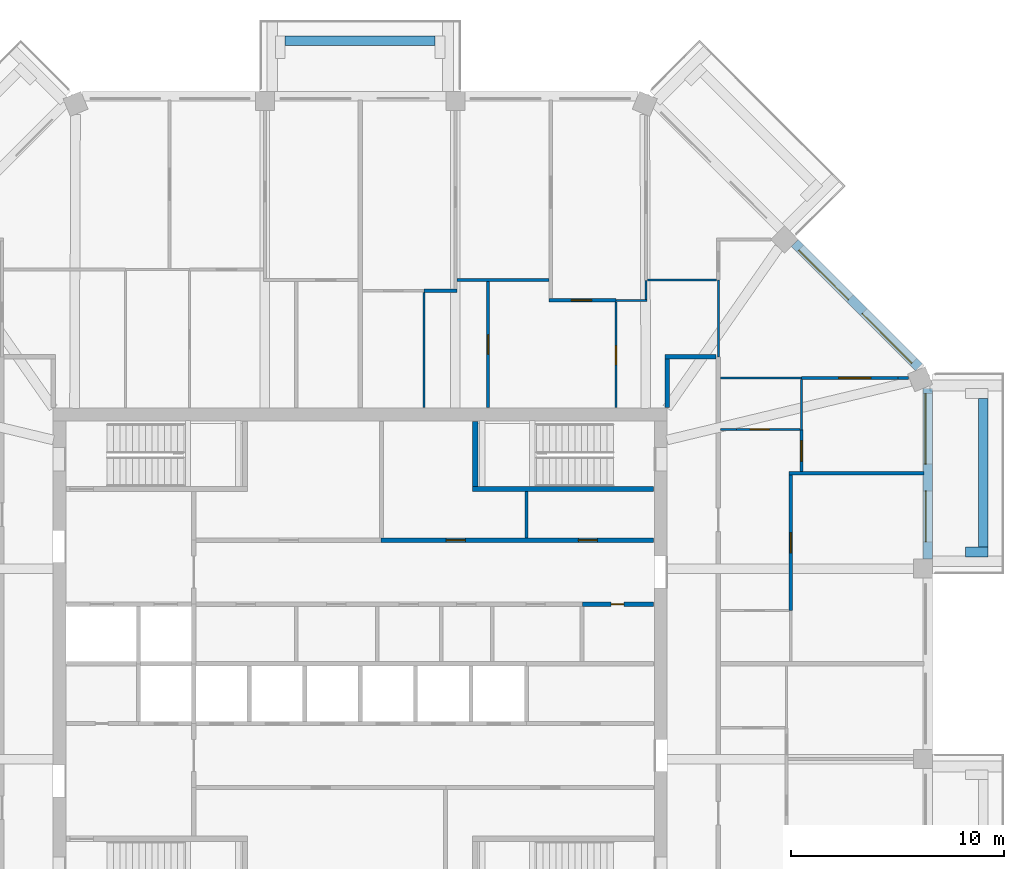
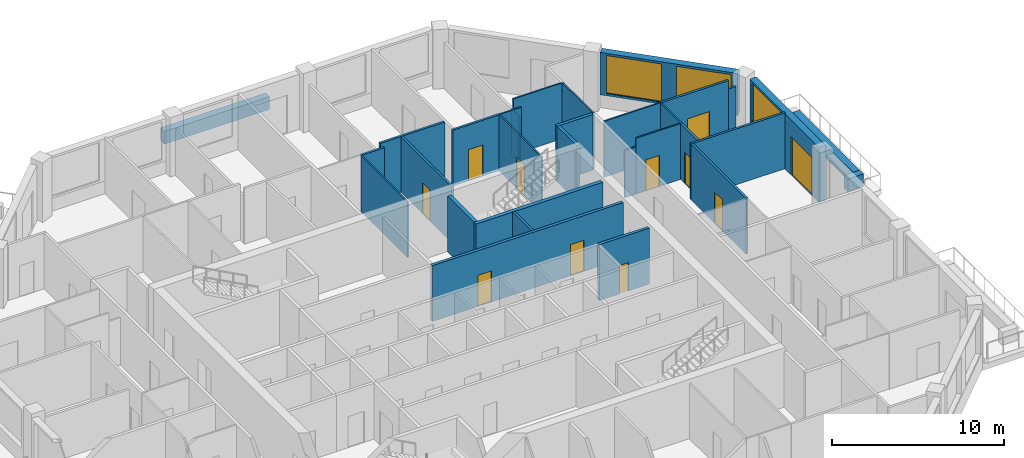
# One storey, part 9 of 12: 31 walls, 11 doors, 3 windows, 14 openings.
"""IFC4 building model written with IfcOpenShell, lengths in metres."""

from ifc_helpers import new_model, si_unit, direction, frame, frame_2d, origin, place, context, subcontext, project, spatial, rectangle, extrude, material, layer, layer_set, type_object, element, fill, save


model = new_model("IFC4")

# Units and contexts
model_context = context("Model", 3, precision=1e-05, world=origin(), true_north=direction((0.0, 1.0)))
body_context = subcontext(model_context, "Body", "Model", "MODEL_VIEW")
ifc_project = project(units=[si_unit("LENGTHUNIT", "METRE"), si_unit("AREAUNIT", "SQUARE_METRE"), si_unit("VOLUMEUNIT", "CUBIC_METRE"), si_unit("PLANEANGLEUNIT", "RADIAN"), si_unit("MASSUNIT", "GRAM", prefix="KILO")], contexts=[model_context])

# Site, building, storey
site_placement = place(None, origin())
site = spatial("IfcSite", under=ifc_project, at=site_placement, CompositionType="ELEMENT")
building_placement = place(site_placement, origin())
building = spatial("IfcBuilding", under=site, at=building_placement, Name="Msitu Wima Residences", CompositionType="ELEMENT")
storey_placement = place(building_placement, frame((0.0, 0.0, 272.699951171875)))
storey = spatial("IfcBuildingStorey", under=building, at=storey_placement, Name="L63", CompositionType="ELEMENT", Elevation=272.699951171875)

# Walls
ifc_material_1 = material(Name="Facing brick")
ifc_layer_1 = layer(ifc_material_1, 0.06494140625, Name="Facing brick")
ifc_material_2 = material(Name="Concrete C40/50", Category="concrete")
ifc_layer_2 = layer(ifc_material_2, 0.156005859375, Name="Concrete C40/50")
ifc_material_3 = material(Name="Waterproofing membrane")
ifc_layer_3 = layer(ifc_material_3, 0.00390625, Name="Waterproofing membrane")
ifc_material_4 = material(Name="Planting soil and planting")
ifc_layer_4 = layer(ifc_material_4, 0.22509765625, Name="Planting soil and planting")
ifc_layer_set_1 = layer_set([ifc_layer_1, ifc_layer_2, ifc_layer_3, ifc_layer_4], Name="Concrete C40/50")
wall_type_1 = type_object("IfcWallType", Name="Balcony planter PLANTER PL450", PredefinedType="USERDEFINED", material=ifc_layer_set_1)
wall_1_placement = place(storey_placement, frame((29.22509765625, 5.468505859375, 0.0), z_axis=(0.0, 0.0, 1.0), x_axis=(0.0, 1.0, 0.0)))
element("IfcWall", 1, at=wall_1_placement, inside=storey, type_object=wall_type_1, Name="Balcony planter E2 L63", ObjectType="PLANTER", PredefinedType="USERDEFINED", context=body_context, shape_type="SweptSolid", body=[
    extrude(rectangle(XDim=6.9873046875, YDim=0.449951171875, at=frame_2d((3.49365234375, 0.0))), origin(), (0.0, 0.0, 1.0), 0.900146484375),
])
wall_2_placement = place(storey_placement, frame((28.39990234375, 5.24365234375, 0.0), z_axis=(0.0, 0.0, 1.0), x_axis=(1.0, 0.0, 0.0)))
element("IfcWall", 2, at=wall_2_placement, inside=storey, type_object=wall_type_1, Name="Balcony planter E2 L63", ObjectType="PLANTER", PredefinedType="USERDEFINED", context=body_context, shape_type="SweptSolid", body=[
    extrude(rectangle(XDim=1.050048828125, YDim=0.449951171875, at=frame_2d((0.52490234375, 0.0))), origin(), (0.0, 0.0, 1.0), 0.900146484375),
])
wall_3_placement = place(storey_placement, frame((3.5185546875, 29.22509765625, 0.0), z_axis=(0.0, 0.0, 1.0), x_axis=(-1.0, 0.0, 0.0)))
element("IfcWall", 3, at=wall_3_placement, inside=storey, type_object=wall_type_1, Name="Balcony planter N1 L63", ObjectType="PLANTER", PredefinedType="USERDEFINED", context=body_context, shape_type="SweptSolid", body=[
    extrude(rectangle(XDim=7.037109375, YDim=0.449951171875, at=frame_2d((3.5185546875, 0.0))), origin(), (0.0, 0.0, 1.0), 0.900146484375),
])

# Wall, openings, door, window
ifc_material_5 = material(Name="Brick (red buff mix)", Category="masonry")
ifc_layer_5 = layer(ifc_material_5, 0.449951171875)
ifc_layer_set_2 = layer_set([ifc_layer_5], Name="Brick (red buff mix)")
wall_type_2 = type_object("IfcWallType", Name="Brick infill wall BW450", PredefinedType="SOLIDWALL", material=ifc_layer_set_2)
wall_4_placement = place(storey_placement, frame((26.625, 4.918701171875, 0.0), z_axis=(0.0, 0.0, 1.0), x_axis=(0.0, 1.0, 0.0)))
wall_4 = element("IfcWall", 4, at=wall_4_placement, inside=storey, type_object=wall_type_2, Name="Brick infill wall L63 E2", PredefinedType="SOLIDWALL", context=body_context, shape_type="SweptSolid", body=[
    extrude(rectangle(XDim=8.0, YDim=0.449951171875, at=frame_2d((4.0, 0.0))), origin(), (0.0, 0.0, 1.0), 3.900146484375),
])
opening_1_placement = place(wall_4_placement, frame((0.800048828125, 0.0, 0.0)))
opening_1 = element("IfcOpeningElement", 5, at=opening_1_placement, cuts=wall_4, Name="Opening D63-64.002", PredefinedType="OPENING", context=body_context, shape_type="SweptSolid", body=[
    extrude(rectangle(XDim=2.39990234375, YDim=2.699951171875, at=frame_2d((1.199951171875, 1.35009765625))), frame((0.0, 0.23486328125, 0.0), z_axis=(0.0, -1.0, 0.0), x_axis=(1.0, 0.0, 0.0)), (0.0, 0.0, 1.0), 0.469970703125),
])
opening_2_placement = place(wall_4_placement, frame((4.4501953125, 0.0, 1.050048828125)))
opening_2 = element("IfcOpeningElement", 6, at=opening_2_placement, cuts=wall_4, Name="Opening W63-64.004", PredefinedType="OPENING", context=body_context, shape_type="SweptSolid", body=[
    extrude(rectangle(XDim=3.300048828125, YDim=2.699951171875, at=frame_2d((1.64990234375, 1.35009765625))), frame((0.0, 0.23486328125, 0.0), z_axis=(0.0, -1.0, 0.0), x_axis=(1.0, 0.0, 0.0)), (0.0, 0.0, 1.0), 0.469970703125),
])
ifc_material_6 = material(Name="Anodised aluminium, bronze finish, clear low-emissivity double glazing", Category="aluminium")
door_type_1 = type_object("IfcDoorType", Name="Balcony door D2400x2700", OperationType="SLIDING_TO_LEFT", PredefinedType="DOOR", material=ifc_material_6)
door_1_placement = place(opening_1_placement, origin())
door_1 = element("IfcDoor", 7, at=door_1_placement, inside=storey, type_object=door_type_1, Name="Balcony door L63 E2", OperationType="SINGLE_SWING_LEFT", OverallHeight=2.699951171875, OverallWidth=2.39990234375, PredefinedType="DOOR", context=body_context, shape_type="SweptSolid", body=[
    extrude(rectangle(XDim=2.39990234375, YDim=2.699951171875, at=frame_2d((1.199951171875, 1.35009765625))), frame((0.0, 0.1298828125, 0.0), z_axis=(0.0, -1.0, 0.0), x_axis=(1.0, 0.0, 0.0)), (0.0, 0.0, 1.0), 0.050048828125),
])
fill(opening_1, door_1)
window_type = type_object("IfcWindowType", Name="Window W3300x2700", PartitioningType="DOUBLE_PANEL_VERTICAL", PredefinedType="WINDOW", material=ifc_material_6)
window_1_placement = place(opening_2_placement, origin())
window_1 = element("IfcWindow", 8, at=window_1_placement, inside=storey, type_object=window_type, Name="Window L63 E2.2", OverallHeight=2.699951171875, OverallWidth=3.300048828125, PartitioningType="SINGLE_PANEL", PredefinedType="WINDOW", context=body_context, shape_type="SweptSolid", body=[
    extrude(rectangle(XDim=3.300048828125, YDim=2.699951171875, at=frame_2d((1.64990234375, 1.35009765625))), frame((0.0, 0.135009765625, 0.0), z_axis=(0.0, -1.0, 0.0), x_axis=(1.0, 0.0, 0.0)), (0.0, 0.0, 1.0), 0.06005859375),
])
fill(opening_2, window_1)

# Wall, openings, windows
wall_5_placement = place(storey_placement, frame((26.214599609375, 13.909423828125, 0.900146484375), z_axis=(0.0, 0.0, 1.0), x_axis=(-0.707106781187, 0.707106781187, 0.0)))
wall_5 = element("IfcWall", 9, at=wall_5_placement, inside=storey, type_object=wall_type_2, Name="Brick infill wall L63 NE0", PredefinedType="SOLIDWALL", context=body_context, shape_type="SweptSolid", body=[
    extrude(rectangle(XDim=8.251220703125, YDim=0.449951171875, at=frame_2d((4.12548828125, 0.0))), origin(), (0.0, 0.0, 1.0), 3.0),
])
opening_3_placement = place(wall_5_placement, frame((0.37548828125, 0.0, 0.14990234375)))
opening_3 = element("IfcOpeningElement", 10, at=opening_3_placement, cuts=wall_5, Name="Opening W63-64.010", PredefinedType="OPENING", context=body_context, shape_type="SweptSolid", body=[
    extrude(rectangle(XDim=3.300048828125, YDim=2.699951171875, at=frame_2d((1.64990234375, 1.35009765625))), frame((0.0, 0.23486328125, 0.0), z_axis=(0.0, -1.0, 0.0), x_axis=(1.0, 0.0, 0.0)), (0.0, 0.0, 1.0), 0.469970703125),
])
opening_4_placement = place(wall_5_placement, frame((4.57568359375, 0.0, 0.14990234375)))
opening_4 = element("IfcOpeningElement", 11, at=opening_4_placement, cuts=wall_5, Name="Opening W63-64.011", PredefinedType="OPENING", context=body_context, shape_type="SweptSolid", body=[
    extrude(rectangle(XDim=3.300048828125, YDim=2.699951171875, at=frame_2d((1.64990234375, 1.35009765625))), frame((0.0, 0.23486328125, 0.0), z_axis=(0.0, -1.0, 0.0), x_axis=(1.0, 0.0, 0.0)), (0.0, 0.0, 1.0), 0.469970703125),
])
window_2_placement = place(opening_3_placement, origin())
window_2 = element("IfcWindow", 12, at=window_2_placement, inside=storey, type_object=window_type, Name="Window L63 NE0.1", OverallHeight=2.699951171875, OverallWidth=3.300048828125, PartitioningType="SINGLE_PANEL", PredefinedType="WINDOW", context=body_context, shape_type="SweptSolid", body=[
    extrude(rectangle(XDim=3.300048828125, YDim=2.699951171875, at=frame_2d((1.64990234375, 1.35009765625))), frame((0.0, 0.135009765625, 0.0), z_axis=(0.0, -1.0, 0.0), x_axis=(1.0, 0.0, 0.0)), (0.0, 0.0, 1.0), 0.06005859375),
])
fill(opening_3, window_2)
window_3_placement = place(opening_4_placement, origin())
window_3 = element("IfcWindow", 13, at=window_3_placement, inside=storey, type_object=window_type, Name="Window L63 NE0.2", OverallHeight=2.699951171875, OverallWidth=3.300048828125, PartitioningType="SINGLE_PANEL", PredefinedType="WINDOW", context=body_context, shape_type="SweptSolid", body=[
    extrude(rectangle(XDim=3.300048828125, YDim=2.699951171875, at=frame_2d((1.64990234375, 1.35009765625))), frame((0.0, 0.135009765625, 0.0), z_axis=(0.0, -1.0, 0.0), x_axis=(1.0, 0.0, 0.0)), (0.0, 0.0, 1.0), 0.06005859375),
])
fill(opening_4, window_3)

# Wall, openings, doors
ifc_material_7 = material(Name="Plaster")
ifc_layer_6 = layer(ifc_material_7, 0.011962890625, Name="Plaster")
ifc_material_8 = material(Name="Concrete blockwork", Category="masonry")
ifc_layer_7 = layer(ifc_material_8, 0.176025390625, Name="Concrete blockwork")
ifc_layer_8 = layer(ifc_material_7, 0.011962890625, Name="Plaster")
ifc_layer_set_3 = layer_set([ifc_layer_6, ifc_layer_7, ifc_layer_8], Name="Concrete blockwork")
wall_type_3 = type_object("IfcWallType", Name="Corridor wall FW200", PredefinedType="PARTITIONING", material=ifc_layer_set_3)
wall_6_placement = place(storey_placement, frame((0.97998046875, 5.800048828125, 0.0), z_axis=(0.0, 0.0, 1.0), x_axis=(1.0, 0.0, 0.0)))
wall_6 = element("IfcWall", 14, at=wall_6_placement, inside=storey, type_object=wall_type_3, Name="Corridor wall", PredefinedType="PARTITIONING", context=body_context, shape_type="SweptSolid", body=[
    extrude(rectangle(XDim=12.7900390625, YDim=0.199951171875, at=frame_2d((6.39501953125, 0.0))), origin(), (0.0, 0.0, 1.0), 3.949951171875),
])
opening_5_placement = place(wall_6_placement, frame((3.050048828125, 0.0, 0.0)))
opening_5 = element("IfcOpeningElement", 15, at=opening_5_placement, cuts=wall_6, Name="Opening D63-64.073", PredefinedType="OPENING", context=body_context, shape_type="SweptSolid", body=[
    extrude(rectangle(XDim=0.89990234375, YDim=2.199951171875, at=frame_2d((0.449951171875, 1.10009765625))), frame((0.0, 0.10986328125, 0.0), z_axis=(0.0, -1.0, 0.0), x_axis=(1.0, 0.0, 0.0)), (0.0, 0.0, 1.0), 0.219970703125),
])
opening_6_placement = place(wall_6_placement, frame((9.25, 0.0, 0.0)))
opening_6 = element("IfcOpeningElement", 16, at=opening_6_placement, cuts=wall_6, Name="Opening D63-64.074", PredefinedType="OPENING", context=body_context, shape_type="SweptSolid", body=[
    extrude(rectangle(XDim=0.89990234375, YDim=2.199951171875, at=frame_2d((0.449951171875, 1.10009765625))), frame((0.0, 0.10986328125, 0.0), z_axis=(0.0, -1.0, 0.0), x_axis=(1.0, 0.0, 0.0)), (0.0, 0.0, 1.0), 0.219970703125),
])
ifc_material_9 = material(Name="Timber flush door", Category="wood")
door_type_2 = type_object("IfcDoorType", Name="Service door D05 900x2200", OperationType="SINGLE_SWING_LEFT", PredefinedType="DOOR", material=ifc_material_9)
door_2_placement = place(opening_5_placement, origin())
door_2 = element("IfcDoor", 17, at=door_2_placement, inside=storey, type_object=door_type_2, Name="Service door", OperationType="SINGLE_SWING_RIGHT", OverallHeight=2.199951171875, OverallWidth=0.89990234375, PredefinedType="DOOR", context=body_context, shape_type="SweptSolid", body=[
    extrude(rectangle(XDim=0.89990234375, YDim=2.199951171875, at=frame_2d((0.449951171875, 1.10009765625))), frame((0.0, 0.02490234375, 0.0), z_axis=(0.0, -1.0, 0.0), x_axis=(1.0, 0.0, 0.0)), (0.0, 0.0, 1.0), 0.050048828125),
])
fill(opening_5, door_2)
door_3_placement = place(opening_6_placement, origin())
door_3 = element("IfcDoor", 18, at=door_3_placement, inside=storey, type_object=door_type_2, Name="Service door", OperationType="SINGLE_SWING_LEFT", OverallHeight=2.199951171875, OverallWidth=0.89990234375, PredefinedType="DOOR", context=body_context, shape_type="SweptSolid", body=[
    extrude(rectangle(XDim=0.89990234375, YDim=2.199951171875, at=frame_2d((0.449951171875, 1.10009765625))), frame((0.0, 0.02490234375, 0.0), z_axis=(0.0, -1.0, 0.0), x_axis=(1.0, 0.0, 0.0)), (0.0, 0.0, 1.0), 0.050048828125),
])
fill(opening_6, door_3)

# Walls
wall_7_placement = place(storey_placement, frame((14.39990234375, 12.030029296875, 0.0), z_axis=(0.0, 0.0, 1.0), x_axis=(0.0, 1.0, 0.0)))
element("IfcWall", 19, at=wall_7_placement, inside=storey, type_object=wall_type_3, Name="Corridor wall", PredefinedType="PARTITIONING", context=body_context, shape_type="SweptSolid", body=[
    extrude(rectangle(XDim=2.27001953125, YDim=0.199951171875, at=frame_2d((1.135009765625, 0.0))), origin(), (0.0, 0.0, 1.0), 3.949951171875),
])
wall_8_placement = place(storey_placement, frame((14.300048828125, 14.39990234375, 0.0), z_axis=(0.0, 0.0, 1.0), x_axis=(1.0, 0.0, 0.0)))
element("IfcWall", 20, at=wall_8_placement, inside=storey, type_object=wall_type_3, Name="Corridor wall", PredefinedType="PARTITIONING", context=body_context, shape_type="SweptSolid", body=[
    extrude(rectangle(XDim=2.39990234375, YDim=0.199951171875, at=frame_2d((1.199951171875, 0.0))), origin(), (0.0, 0.0, 1.0), 3.949951171875),
])
ifc_layer_9 = layer(ifc_material_7, 0.011962890625, Name="Plaster")
ifc_layer_10 = layer(ifc_material_8, 0.1259765625, Name="Concrete blockwork")
ifc_layer_11 = layer(ifc_material_7, 0.011962890625, Name="Plaster")
ifc_layer_set_4 = layer_set([ifc_layer_9, ifc_layer_10, ifc_layer_11], Name="Concrete blockwork")
wall_type_4 = type_object("IfcWallType", Name="Partition PW150", PredefinedType="PARTITIONING", material=ifc_layer_set_4)
wall_9_placement = place(storey_placement, frame((3.0, 17.5, 0.0), z_axis=(0.0, 0.0, 1.0), x_axis=(1.0, 0.0, 0.0)))
element("IfcWall", 21, at=wall_9_placement, inside=storey, type_object=wall_type_4, Name="Partition", PredefinedType="PARTITIONING", context=body_context, shape_type="SweptSolid", body=[
    extrude(rectangle(XDim=1.543701171875, YDim=0.14990234375, at=frame_2d((0.77197265625, 0.0))), origin(), (0.0, 0.0, 1.0), 3.949951171875),
])
wall_10_placement = place(storey_placement, frame((4.543701171875, 18.0, 0.0), z_axis=(0.0, 0.0, 1.0), x_axis=(1.0, 0.0, 0.0)))
element("IfcWall", 22, at=wall_10_placement, inside=storey, type_object=wall_type_4, Name="Partition", PredefinedType="PARTITIONING", context=body_context, shape_type="SweptSolid", body=[
    extrude(rectangle(XDim=4.318603515625, YDim=0.14990234375, at=frame_2d((2.1591796875, 0.0))), origin(), (0.0, 0.0, 1.0), 3.949951171875),
])

# Wall, opening, door
wall_11_placement = place(storey_placement, frame((6.0, 12.030029296875, 0.0), z_axis=(0.0, 0.0, 1.0), x_axis=(0.0, 1.0, 0.0)))
wall_11 = element("IfcWall", 23, at=wall_11_placement, inside=storey, type_object=wall_type_4, Name="Partition", PredefinedType="PARTITIONING", context=body_context, shape_type="SweptSolid", body=[
    extrude(rectangle(XDim=5.89501953125, YDim=0.14990234375, at=frame_2d((2.947509765625, 0.0))), origin(), (0.0, 0.0, 1.0), 3.949951171875),
])
opening_7_placement = place(wall_11_placement, frame((2.5, 0.0, 0.0)))
opening_7 = element("IfcOpeningElement", 24, at=opening_7_placement, cuts=wall_11, Name="Opening D63-64.014", PredefinedType="OPENING", context=body_context, shape_type="SweptSolid", body=[
    extrude(rectangle(XDim=0.89990234375, YDim=2.199951171875, at=frame_2d((0.449951171875, 1.10009765625))), frame((0.0, 0.0849609375, 0.0), z_axis=(0.0, -1.0, 0.0), x_axis=(1.0, 0.0, 0.0)), (0.0, 0.0, 1.0), 0.169921875),
])
door_4_placement = place(opening_7_placement, origin())
door_4 = element("IfcDoor", 25, at=door_4_placement, inside=storey, type_object=door_type_2, Name="Service door", OperationType="SINGLE_SWING_RIGHT", OverallHeight=2.199951171875, OverallWidth=0.89990234375, PredefinedType="DOOR", context=body_context, shape_type="SweptSolid", body=[
    extrude(rectangle(XDim=0.89990234375, YDim=2.199951171875, at=frame_2d((0.449951171875, 1.10009765625))), frame((0.0, 0.02490234375, 0.0), z_axis=(0.0, -1.0, 0.0), x_axis=(1.0, 0.0, 0.0)), (0.0, 0.0, 1.0), 0.050048828125),
])
fill(opening_7, door_4)

# Wall
wall_12_placement = place(storey_placement, frame((7.800048828125, 5.89990234375, 0.0), z_axis=(0.0, 0.0, 1.0), x_axis=(0.0, 1.0, 0.0)))
element("IfcWall", 26, at=wall_12_placement, inside=storey, type_object=wall_type_4, Name="Partition", PredefinedType="PARTITIONING", context=body_context, shape_type="SweptSolid", body=[
    extrude(rectangle(XDim=2.175048828125, YDim=0.14990234375, at=frame_2d((1.08740234375, 0.0))), origin(), (0.0, 0.0, 1.0), 3.949951171875),
])

# Wall, opening, door
wall_13_placement = place(storey_placement, frame((8.8623046875, 17.050048828125, 0.0), z_axis=(0.0, 0.0, 1.0), x_axis=(1.0, 0.0, 0.0)))
wall_13 = element("IfcWall", 27, at=wall_13_placement, inside=storey, type_object=wall_type_4, Name="Partition", PredefinedType="PARTITIONING", context=body_context, shape_type="SweptSolid", body=[
    extrude(rectangle(XDim=3.1376953125, YDim=0.14990234375, at=frame_2d((1.56884765625, 0.0))), origin(), (0.0, 0.0, 1.0), 3.949951171875),
])
opening_8_placement = place(wall_13_placement, frame((1.050048828125, 0.0, 0.0)))
opening_8 = element("IfcOpeningElement", 28, at=opening_8_placement, cuts=wall_13, Name="Opening D63-64.023", PredefinedType="OPENING", context=body_context, shape_type="SweptSolid", body=[
    extrude(rectangle(XDim=0.949951171875, YDim=2.199951171875, at=frame_2d((0.47509765625, 1.10009765625))), frame((0.0, 0.0849609375, 0.0), z_axis=(0.0, -1.0, 0.0), x_axis=(1.0, 0.0, 0.0)), (0.0, 0.0, 1.0), 0.169921875),
])
door_type_3 = type_object("IfcDoorType", Name="Room door D12 950x2200", OperationType="SINGLE_SWING_LEFT", PredefinedType="DOOR", material=ifc_material_9)
door_5_placement = place(opening_8_placement, origin())
door_5 = element("IfcDoor", 29, at=door_5_placement, inside=storey, type_object=door_type_3, Name="Room door", OperationType="SINGLE_SWING_LEFT", OverallHeight=2.199951171875, OverallWidth=0.949951171875, PredefinedType="DOOR", context=body_context, shape_type="SweptSolid", body=[
    extrude(rectangle(XDim=0.949951171875, YDim=2.199951171875, at=frame_2d((0.47509765625, 1.10009765625))), frame((0.0, 0.02490234375, 0.0), z_axis=(0.0, -1.0, 0.0), x_axis=(1.0, 0.0, 0.0)), (0.0, 0.0, 1.0), 0.050048828125),
])
fill(opening_8, door_5)

wall_14_placement = place(storey_placement, frame((20.199951171875, 2.5, 0.0), z_axis=(0.0, 0.0, 1.0), x_axis=(0.0, 1.0, 0.0)))
wall_14 = element("IfcWall", 30, at=wall_14_placement, inside=storey, type_object=wall_type_4, Name="Partition", PredefinedType="PARTITIONING", context=body_context, shape_type="SweptSolid", body=[
    extrude(rectangle(XDim=6.3623046875, YDim=0.14990234375, at=frame_2d((3.18115234375, 0.0))), origin(), (0.0, 0.0, 1.0), 3.949951171875),
])
opening_9_placement = place(wall_14_placement, frame((2.699951171875, 0.0, 0.0)))
opening_9 = element("IfcOpeningElement", 31, at=opening_9_placement, cuts=wall_14, Name="Opening D63-64.018", PredefinedType="OPENING", context=body_context, shape_type="SweptSolid", body=[
    extrude(rectangle(XDim=0.949951171875, YDim=2.199951171875, at=frame_2d((0.47509765625, 1.10009765625))), frame((0.0, 0.0849609375, 0.0), z_axis=(0.0, -1.0, 0.0), x_axis=(1.0, 0.0, 0.0)), (0.0, 0.0, 1.0), 0.169921875),
])
door_6_placement = place(opening_9_placement, origin())
door_6 = element("IfcDoor", 32, at=door_6_placement, inside=storey, type_object=door_type_3, Name="Room door", OperationType="SINGLE_SWING_LEFT", OverallHeight=2.199951171875, OverallWidth=0.949951171875, PredefinedType="DOOR", context=body_context, shape_type="SweptSolid", body=[
    extrude(rectangle(XDim=0.949951171875, YDim=2.199951171875, at=frame_2d((0.47509765625, 1.10009765625))), frame((0.0, 0.02490234375, 0.0), z_axis=(0.0, -1.0, 0.0), x_axis=(1.0, 0.0, 0.0)), (0.0, 0.0, 1.0), 0.050048828125),
])
fill(opening_9, door_6)

# Wall
wall_15_placement = place(storey_placement, frame((20.125, 8.937255859375, 0.0), z_axis=(0.0, 0.0, 1.0), x_axis=(1.0, 0.0, 0.0)))
element("IfcWall", 33, at=wall_15_placement, inside=storey, type_object=wall_type_4, Name="Partition", PredefinedType="PARTITIONING", context=body_context, shape_type="SweptSolid", body=[
    extrude(rectangle(XDim=6.330078125, YDim=0.14990234375, at=frame_2d((3.1650390625, 0.0))), origin(), (0.0, 0.0, 1.0), 3.949951171875),
])

# Wall, opening, door
wall_16_placement = place(storey_placement, frame((20.699951171875, 9.01220703125, 0.0), z_axis=(0.0, 0.0, 1.0), x_axis=(0.0, 1.0, 0.0)))
wall_16 = element("IfcWall", 34, at=wall_16_placement, inside=storey, type_object=wall_type_4, Name="Partition", PredefinedType="PARTITIONING", context=body_context, shape_type="SweptSolid", body=[
    extrude(rectangle(XDim=1.9677734375, YDim=0.14990234375, at=frame_2d((0.98388671875, 0.0))), origin(), (0.0, 0.0, 1.0), 3.949951171875),
])
opening_10_placement = place(wall_16_placement, frame((0.5, 0.0, 0.0)))
opening_10 = element("IfcOpeningElement", 35, at=opening_10_placement, cuts=wall_16, Name="Opening D63-64.019", PredefinedType="OPENING", context=body_context, shape_type="SweptSolid", body=[
    extrude(rectangle(XDim=0.949951171875, YDim=2.199951171875, at=frame_2d((0.47509765625, 1.10009765625))), frame((0.0, 0.0849609375, 0.0), z_axis=(0.0, -1.0, 0.0), x_axis=(1.0, 0.0, 0.0)), (0.0, 0.0, 1.0), 0.169921875),
])
door_7_placement = place(opening_10_placement, origin())
door_7 = element("IfcDoor", 36, at=door_7_placement, inside=storey, type_object=door_type_3, Name="Room door", OperationType="SINGLE_SWING_RIGHT", OverallHeight=2.199951171875, OverallWidth=0.949951171875, PredefinedType="DOOR", context=body_context, shape_type="SweptSolid", body=[
    extrude(rectangle(XDim=0.949951171875, YDim=2.199951171875, at=frame_2d((0.47509765625, 1.10009765625))), frame((0.0, 0.02490234375, 0.0), z_axis=(0.0, -1.0, 0.0), x_axis=(1.0, 0.0, 0.0)), (0.0, 0.0, 1.0), 0.050048828125),
])
fill(opening_10, door_7)

wall_17_placement = place(storey_placement, frame((20.699951171875, 13.406005859375, 0.0), z_axis=(0.0, 0.0, 1.0), x_axis=(1.0, 0.0, 0.0)))
wall_17 = element("IfcWall", 37, at=wall_17_placement, inside=storey, type_object=wall_type_4, Name="Partition", PredefinedType="PARTITIONING", context=body_context, shape_type="SweptSolid", body=[
    extrude(rectangle(XDim=4.524169921875, YDim=0.14990234375, at=frame_2d((2.26220703125, 0.0))), origin(), (0.0, 0.0, 1.0), 3.949951171875),
])
opening_11_placement = place(wall_17_placement, frame((1.75, 0.0, 0.0)))
opening_11 = element("IfcOpeningElement", 38, at=opening_11_placement, cuts=wall_17, Name="Opening D63-64.020", PredefinedType="OPENING", context=body_context, shape_type="SweptSolid", body=[
    extrude(rectangle(XDim=1.5, YDim=2.199951171875, at=frame_2d((0.75, 1.10009765625))), frame((0.0, 0.0849609375, 0.0), z_axis=(0.0, -1.0, 0.0), x_axis=(1.0, 0.0, 0.0)), (0.0, 0.0, 1.0), 0.169921875),
])
ifc_material_10 = material(Name="Timber double door", Category="wood")
door_type_4 = type_object("IfcDoorType", Name="Double door D04 1500x2200", OperationType="DOUBLE_DOOR_SINGLE_SWING", PredefinedType="DOOR", material=ifc_material_10)
door_8_placement = place(opening_11_placement, origin())
door_8 = element("IfcDoor", 39, at=door_8_placement, inside=storey, type_object=door_type_4, Name="Double door", OperationType="DOUBLE_DOOR_SINGLE_SWING", OverallHeight=2.199951171875, OverallWidth=1.5, PredefinedType="DOOR", context=body_context, shape_type="SweptSolid", body=[
    extrude(rectangle(XDim=1.5, YDim=2.199951171875, at=frame_2d((0.75, 1.10009765625))), frame((0.0, 0.02490234375, 0.0), z_axis=(0.0, -1.0, 0.0), x_axis=(1.0, 0.0, 0.0)), (0.0, 0.0, 1.0), 0.050048828125),
])
fill(opening_11, door_8)

# Wall
wall_18_placement = place(storey_placement, frame((25.22412109375, 13.406005859375, 0.0), z_axis=(0.0, 0.0, 1.0), x_axis=(1.0, 0.0, 0.0)))
element("IfcWall", 40, at=wall_18_placement, inside=storey, type_object=wall_type_4, Name="Partition", PredefinedType="PARTITIONING", context=body_context, shape_type="SweptSolid", body=[
    extrude(rectangle(XDim=0.507080078125, YDim=0.14990234375, at=frame_2d((0.25341796875, 0.0))), origin(), (0.0, 0.0, 1.0), 3.35009765625),
])

# Wall, opening, door
ifc_layer_12 = layer(ifc_material_7, 0.011962890625, Name="Plaster")
ifc_material_11 = material(Name="Reinforced concrete blockwork", Category="masonry")
ifc_layer_13 = layer(ifc_material_11, 0.176025390625, Name="Reinforced concrete blockwork")
ifc_layer_14 = layer(ifc_material_7, 0.011962890625, Name="Plaster")
ifc_layer_set_5 = layer_set([ifc_layer_12, ifc_layer_13, ifc_layer_14], Name="Reinforced concrete blockwork")
wall_type_5 = type_object("IfcWallType", Name="Plant and riser wall PL200", PredefinedType="PARTITIONING", material=ifc_layer_set_5)
wall_19_placement = place(storey_placement, frame((10.419921875, 2.800048828125, 0.0), z_axis=(0.0, 0.0, 1.0), x_axis=(1.0, 0.0, 0.0)))
wall_19 = element("IfcWall", 41, at=wall_19_placement, inside=storey, type_object=wall_type_5, Name="Plant and riser wall", PredefinedType="PARTITIONING", context=body_context, shape_type="SweptSolid", body=[
    extrude(rectangle(XDim=3.35009765625, YDim=0.199951171875, at=frame_2d((1.675048828125, 0.0))), origin(), (0.0, 0.0, 1.0), 3.949951171875),
])
opening_12_placement = place(wall_19_placement, frame((1.35009765625, 0.0, 0.0)))
opening_12 = element("IfcOpeningElement", 42, at=opening_12_placement, cuts=wall_19, Name="Opening D63-64.084", PredefinedType="OPENING", context=body_context, shape_type="SweptSolid", body=[
    extrude(rectangle(XDim=0.60009765625, YDim=2.0, at=frame_2d((0.300048828125, 1.0))), frame((0.0, 0.10986328125, 0.0), z_axis=(0.0, -1.0, 0.0), x_axis=(1.0, 0.0, 0.0)), (0.0, 0.0, 1.0), 0.219970703125),
])
ifc_material_12 = material(Name="Steel access door, fire resisting", Category="steel")
door_type_5 = type_object("IfcDoorType", Name="Riser access door D08 600x2000", OperationType="SINGLE_SWING_LEFT", PredefinedType="DOOR", material=ifc_material_12)
door_9_placement = place(opening_12_placement, origin())
door_9 = element("IfcDoor", 43, at=door_9_placement, inside=storey, type_object=door_type_5, Name="Riser access door", OperationType="SINGLE_SWING_RIGHT", OverallHeight=2.0, OverallWidth=0.60009765625, PredefinedType="DOOR", context=body_context, shape_type="SweptSolid", body=[
    extrude(rectangle(XDim=0.60009765625, YDim=2.0, at=frame_2d((0.300048828125, 1.0))), frame((0.0, 0.02490234375, 0.0), z_axis=(0.0, -1.0, 0.0), x_axis=(1.0, 0.0, 0.0)), (0.0, 0.0, 1.0), 0.050048828125),
])
fill(opening_12, door_9)

# Walls
ifc_material_13 = material(Name="Concrete C50/60", Category="concrete")
ifc_layer_15 = layer(ifc_material_13, 0.25)
ifc_layer_set_6 = layer_set([ifc_layer_15], Name="Concrete C50/60")
wall_type_6 = type_object("IfcWallType", Name="Stair enclosure wall SW250", PredefinedType="SHEAR", material=ifc_layer_set_6)
wall_20_placement = place(storey_placement, frame((5.39990234375, 8.324951171875, 0.0), z_axis=(0.0, 0.0, 1.0), x_axis=(0.0, 1.0, 0.0)))
element("IfcWall", 44, at=wall_20_placement, inside=storey, type_object=wall_type_6, Name="Stair enclosure wall", PredefinedType="SHEAR", context=body_context, shape_type="SweptSolid", body=[
    extrude(rectangle(XDim=3.045166015625, YDim=0.25, at=frame_2d((1.5224609375, 0.0))), origin(), (0.0, 0.0, 1.0), 3.949951171875),
])
wall_21_placement = place(storey_placement, frame((5.27490234375, 8.199951171875, 0.0), z_axis=(0.0, 0.0, 1.0), x_axis=(1.0, 0.0, 0.0)))
element("IfcWall", 45, at=wall_21_placement, inside=storey, type_object=wall_type_6, Name="Stair enclosure wall", PredefinedType="SHEAR", context=body_context, shape_type="SweptSolid", body=[
    extrude(rectangle(XDim=8.4951171875, YDim=0.25, at=frame_2d((4.24755859375, 0.0))), origin(), (0.0, 0.0, 1.0), 3.949951171875),
])
ifc_material_14 = material(Name="Ceramic tiles")
ifc_layer_16 = layer(ifc_material_14, 0.008056640625, Name="Ceramic tiles")
ifc_material_15 = material(Name="Moisture-resistant board")
ifc_layer_17 = layer(ifc_material_15, 0.012451171875, Name="Moisture-resistant board")
ifc_material_16 = material(Name="Light-gauge stud framing with mineral wool")
ifc_layer_18 = layer(ifc_material_16, 0.06689453125, Name="Light-gauge stud framing with mineral wool")
ifc_layer_19 = layer(ifc_material_15, 0.012451171875, Name="Moisture-resistant board")
ifc_layer_set_7 = layer_set([ifc_layer_16, ifc_layer_17, ifc_layer_18, ifc_layer_19], Name="Light-gauge stud framing with mineral wool")
wall_type_7 = type_object("IfcWallType", Name="Wet wall PW100", PredefinedType="PARTITIONING", material=ifc_layer_set_7)
wall_22_placement = place(storey_placement, frame((3.0, 12.030029296875, 0.0), z_axis=(0.0, 0.0, 1.0), x_axis=(0.0, 1.0, 0.0)))
element("IfcWall", 46, at=wall_22_placement, inside=storey, type_object=wall_type_7, Name="Wet wall", PredefinedType="PARTITIONING", context=body_context, shape_type="SweptSolid", body=[
    extrude(rectangle(XDim=5.39501953125, YDim=0.10009765625, at=frame_2d((2.697509765625, 0.0))), origin(), (0.0, 0.0, 1.0), 3.949951171875),
])
wall_23_placement = place(storey_placement, frame((12.0, 17.050048828125, 0.0), z_axis=(0.0, 0.0, 1.0), x_axis=(1.0, 0.0, 0.0)))
element("IfcWall", 47, at=wall_23_placement, inside=storey, type_object=wall_type_7, Name="Wet wall", PredefinedType="PARTITIONING", context=body_context, shape_type="SweptSolid", body=[
    extrude(rectangle(XDim=1.455810546875, YDim=0.10009765625, at=frame_2d((0.72802734375, 0.0))), origin(), (0.0, 0.0, 1.0), 3.949951171875),
])

# Wall, opening, door
wall_24_placement = place(storey_placement, frame((12.0, 12.030029296875, 0.0), z_axis=(0.0, 0.0, 1.0), x_axis=(0.0, 1.0, 0.0)))
wall_24 = element("IfcWall", 48, at=wall_24_placement, inside=storey, type_object=wall_type_7, Name="Wet wall", PredefinedType="PARTITIONING", context=body_context, shape_type="SweptSolid", body=[
    extrude(rectangle(XDim=4.945068359375, YDim=0.10009765625, at=frame_2d((2.47265625, 0.0))), origin(), (0.0, 0.0, 1.0), 3.949951171875),
])
opening_13_placement = place(wall_24_placement, frame((2.0, 0.0, 0.0)))
opening_13 = element("IfcOpeningElement", 49, at=opening_13_placement, cuts=wall_24, Name="Opening D63-64.024", PredefinedType="OPENING", context=body_context, shape_type="SweptSolid", body=[
    extrude(rectangle(XDim=0.89990234375, YDim=2.199951171875, at=frame_2d((0.449951171875, 1.10009765625))), frame((0.0, 0.06005859375, 0.0), z_axis=(0.0, -1.0, 0.0), x_axis=(1.0, 0.0, 0.0)), (0.0, 0.0, 1.0), 0.1201171875),
])
door_10_placement = place(opening_13_placement, origin())
door_10 = element("IfcDoor", 50, at=door_10_placement, inside=storey, type_object=door_type_2, Name="Service door", OperationType="SINGLE_SWING_LEFT", OverallHeight=2.199951171875, OverallWidth=0.89990234375, PredefinedType="DOOR", context=body_context, shape_type="SweptSolid", body=[
    extrude(rectangle(XDim=0.89990234375, YDim=2.199951171875, at=frame_2d((0.449951171875, 1.10009765625))), frame((0.0, 0.02490234375, 0.0), z_axis=(0.0, -1.0, 0.0), x_axis=(1.0, 0.0, 0.0)), (0.0, 0.0, 1.0), 0.050048828125),
])
fill(opening_13, door_10)

# Walls
wall_25_placement = place(storey_placement, frame((13.406005859375, 17.10009765625, 0.0), z_axis=(0.0, 0.0, 1.0), x_axis=(0.0, 1.0, 0.0)))
element("IfcWall", 51, at=wall_25_placement, inside=storey, type_object=wall_type_7, Name="Wet wall", PredefinedType="PARTITIONING", context=body_context, shape_type="SweptSolid", body=[
    extrude(rectangle(XDim=0.8798828125, YDim=0.10009765625, at=frame_2d((0.43994140625, 0.0))), origin(), (0.0, 0.0, 1.0), 3.300048828125),
])
wall_26_placement = place(storey_placement, frame((13.48095703125, 18.0, 0.0), z_axis=(0.0, 0.0, 1.0), x_axis=(1.0, 0.0, 0.0)))
element("IfcWall", 52, at=wall_26_placement, inside=storey, type_object=wall_type_7, Name="Wet wall", PredefinedType="PARTITIONING", context=body_context, shape_type="SweptSolid", body=[
    extrude(rectangle(XDim=3.244140625, YDim=0.10009765625, at=frame_2d((1.6220703125, 0.0))), origin(), (0.0, 0.0, 1.0), 3.949951171875),
])
wall_27_placement = place(storey_placement, frame((16.89990234375, 11.0, 0.0), z_axis=(0.0, 0.0, 1.0), x_axis=(1.0, 0.0, 0.0)))
element("IfcWall", 53, at=wall_27_placement, inside=storey, type_object=wall_type_7, Name="Wet wall", PredefinedType="PARTITIONING", context=body_context, shape_type="SweptSolid", body=[
    extrude(rectangle(XDim=0.75390625, YDim=0.10009765625, at=frame_2d((0.376953125, 0.0))), origin(), (0.0, 0.0, 1.0), 3.35009765625),
])

# Wall, opening, door
wall_28_placement = place(storey_placement, frame((17.65380859375, 11.0, 0.0), z_axis=(0.0, 0.0, 1.0), x_axis=(1.0, 0.0, 0.0)))
wall_28 = element("IfcWall", 54, at=wall_28_placement, inside=storey, type_object=wall_type_7, Name="Wet wall", PredefinedType="PARTITIONING", context=body_context, shape_type="SweptSolid", body=[
    extrude(rectangle(XDim=2.97119140625, YDim=0.10009765625, at=frame_2d((1.485595703125, 0.0))), origin(), (0.0, 0.0, 1.0), 3.949951171875),
])
opening_14_placement = place(wall_28_placement, frame((0.646240234375, 0.0, 0.0)))
opening_14 = element("IfcOpeningElement", 55, at=opening_14_placement, cuts=wall_28, Name="Opening D63-64.017", PredefinedType="OPENING", context=body_context, shape_type="SweptSolid", body=[
    extrude(rectangle(XDim=0.89990234375, YDim=2.199951171875, at=frame_2d((0.449951171875, 1.10009765625))), frame((0.0, 0.06005859375, 0.0), z_axis=(0.0, -1.0, 0.0), x_axis=(1.0, 0.0, 0.0)), (0.0, 0.0, 1.0), 0.1201171875),
])
ifc_material_17 = material(Name="Timber flush door, moisture resistant", Category="wood")
door_type_6 = type_object("IfcDoorType", Name="Bathroom door D03 900x2200", OperationType="SINGLE_SWING_LEFT", PredefinedType="DOOR", material=ifc_material_17)
door_11_placement = place(opening_14_placement, origin())
door_11 = element("IfcDoor", 56, at=door_11_placement, inside=storey, type_object=door_type_6, Name="Bathroom door", OperationType="SINGLE_SWING_LEFT", OverallHeight=2.199951171875, OverallWidth=0.89990234375, PredefinedType="DOOR", context=body_context, shape_type="SweptSolid", body=[
    extrude(rectangle(XDim=0.89990234375, YDim=2.199951171875, at=frame_2d((0.449951171875, 1.10009765625))), frame((0.0, 0.02490234375, 0.0), z_axis=(0.0, -1.0, 0.0), x_axis=(1.0, 0.0, 0.0)), (0.0, 0.0, 1.0), 0.050048828125),
])
fill(opening_14, door_11)

# Walls
wall_29_placement = place(storey_placement, frame((16.89990234375, 13.406005859375, 0.0), z_axis=(0.0, 0.0, 1.0), x_axis=(1.0, 0.0, 0.0)))
element("IfcWall", 57, at=wall_29_placement, inside=storey, type_object=wall_type_7, Name="Wet wall", PredefinedType="PARTITIONING", context=body_context, shape_type="SweptSolid", body=[
    extrude(rectangle(XDim=3.800048828125, YDim=0.10009765625, at=frame_2d((1.89990234375, 0.0))), origin(), (0.0, 0.0, 1.0), 3.949951171875),
])
wall_30_placement = place(storey_placement, frame((16.800048828125, 14.39990234375, 0.0), z_axis=(0.0, 0.0, 1.0), x_axis=(0.0, 1.0, 0.0)))
element("IfcWall", 58, at=wall_30_placement, inside=storey, type_object=wall_type_7, Name="Wet wall", PredefinedType="PARTITIONING", context=body_context, shape_type="SweptSolid", body=[
    extrude(rectangle(XDim=3.60009765625, YDim=0.10009765625, at=frame_2d((1.800048828125, 0.0))), origin(), (0.0, 0.0, 1.0), 3.949951171875),
])
wall_31_placement = place(storey_placement, frame((20.699951171875, 10.97998046875, 0.0), z_axis=(0.0, 0.0, 1.0), x_axis=(0.0, 1.0, 0.0)))
element("IfcWall", 59, at=wall_31_placement, inside=storey, type_object=wall_type_7, Name="Wet wall", PredefinedType="PARTITIONING", context=body_context, shape_type="SweptSolid", body=[
    extrude(rectangle(XDim=2.350830078125, YDim=0.10009765625, at=frame_2d((1.17529296875, 0.0))), origin(), (0.0, 0.0, 1.0), 3.949951171875),
])

save(model, "model.ifc")
